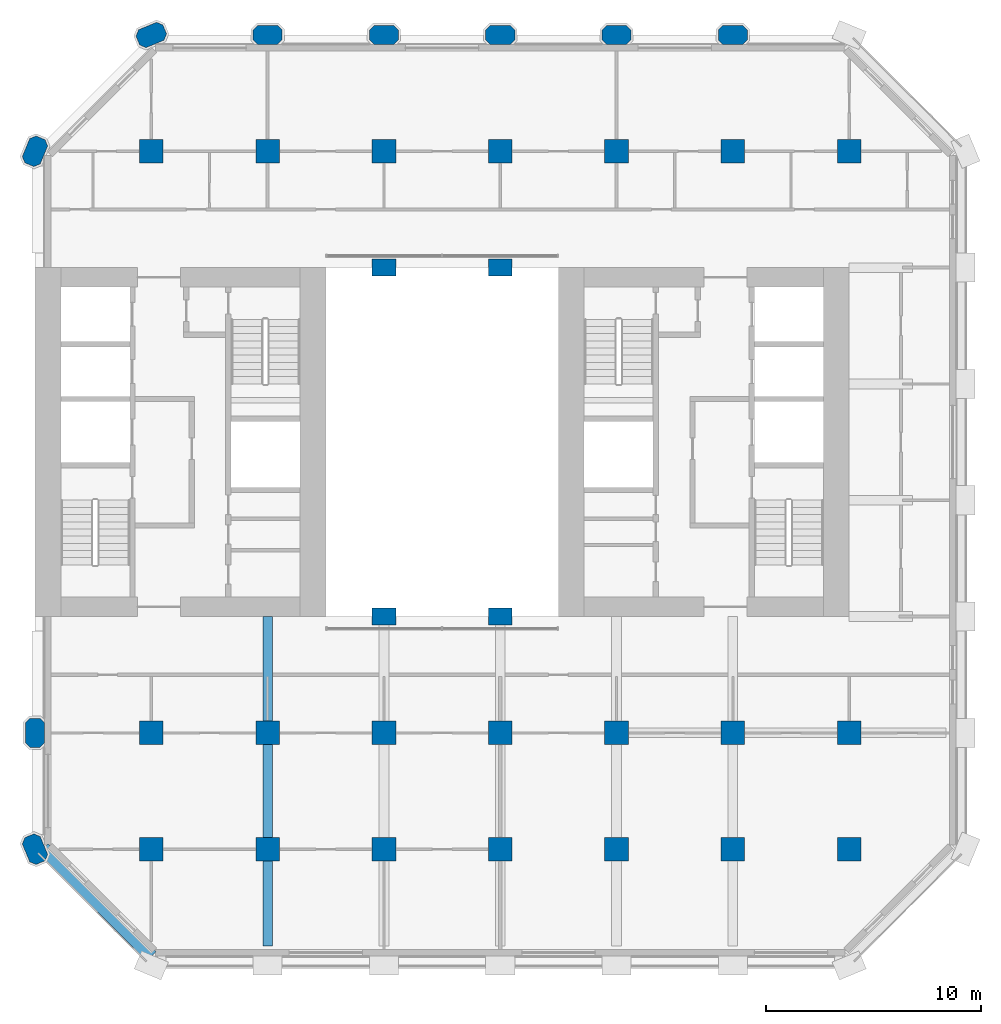
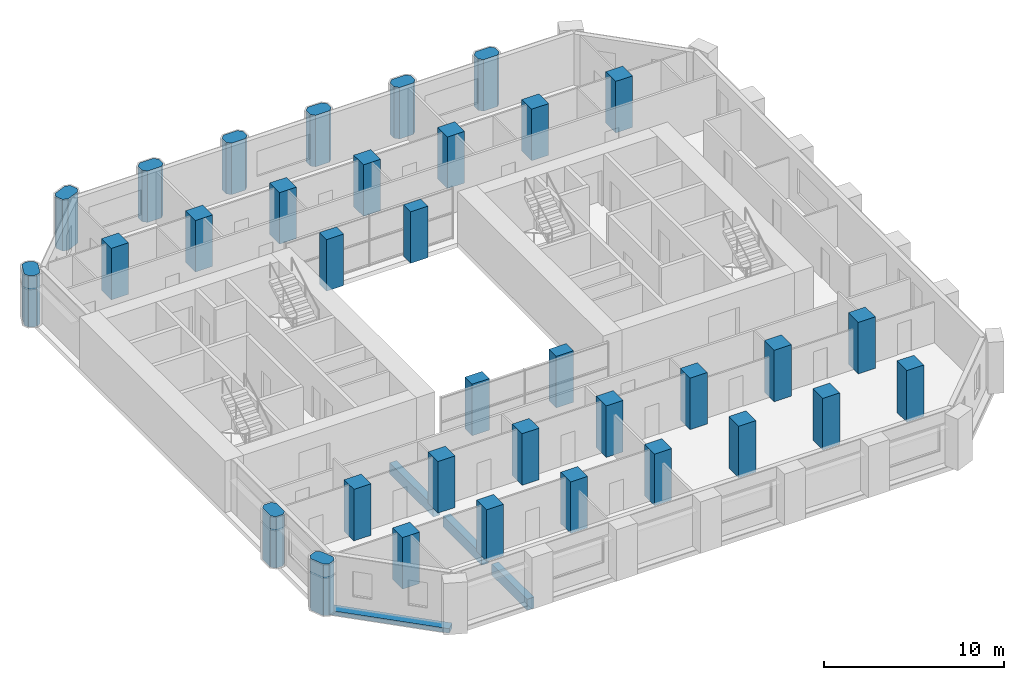
# One storey, part 1 of 13: 34 columns, 4 beams.
"""IFC4 building model written with IfcOpenShell, lengths in metres."""

from ifc_helpers import new_model, si_unit, direction, frame, origin, origin_2d, place, context, subcontext, project, spatial, polyline, rectangle, outline, extrude, material, material_profile, profile_set, type_object, element, save


model = new_model("IFC4")

# Units and contexts
model_context = context("Model", 3, precision=1e-05, world=origin(), true_north=direction((0.0, 1.0)))
body_context = subcontext(model_context, "Body", "Model", "MODEL_VIEW")
ifc_project = project(units=[si_unit("LENGTHUNIT", "METRE"), si_unit("AREAUNIT", "SQUARE_METRE"), si_unit("VOLUMEUNIT", "CUBIC_METRE"), si_unit("PLANEANGLEUNIT", "RADIAN"), si_unit("MASSUNIT", "GRAM", prefix="KILO")], contexts=[model_context])

# Site, building, storey
site_placement = place(None, origin())
site = spatial("IfcSite", under=ifc_project, at=site_placement, CompositionType="ELEMENT")
building_placement = place(site_placement, origin())
building = spatial("IfcBuilding", under=site, at=building_placement, Name="Tabaq Tower and Sports Hall", CompositionType="ELEMENT")
storey_placement = place(building_placement, frame((0.0, 0.0, 45.0)))
storey = spatial("IfcBuildingStorey", under=building, at=storey_placement, Name="L09", CompositionType="ELEMENT", Elevation=45.0)

# Columns
ifc_material_1 = material(Name="Concrete C60/75", Category="concrete")
ifc_material_profile_1 = material_profile(ifc_material_1, rectangle(XDim=1.10009765625, YDim=0.800048828125, at=origin_2d()), Name="ATRIUM COLUMN 1100x800")
ifc_profile_set_1 = profile_set([ifc_material_profile_1], Name="Concrete C60/75")
column_type_1 = type_object("IfcColumnType", Name="RC COLUMN ATRIUM COLUMN 1100x800 C60/75", PredefinedType="COLUMN", material=ifc_profile_set_1)
for number, where, z_axis, x_axis, name in (
    (1, (21.60009765625, 16.199951171875, 0.0), (0.0, 0.0, 1.0), (1.0, 0.0, 0.0), "Atrium Column 5/D L09"),
    (2, (27.0, 16.199951171875, 0.0), (0.0, 0.0, 1.0), (1.0, 0.0, 0.0), "Atrium Column 6/D L09"),
    (3, (21.60009765625, 32.39990234375, 0.0), (0.0, 0.0, 1.0), (1.0, 0.0, 0.0), "Atrium Column 5/G L09"),
    (4, (27.0, 32.39990234375, 0.0), (0.0, 0.0, 1.0), (1.0, 0.0, 0.0), "Atrium Column 6/G L09"),
):
    element("IfcColumn", number, at=place(storey_placement, frame(where, z_axis=z_axis, x_axis=x_axis)), inside=storey, type_object=column_type_1, Name=name, PredefinedType="COLUMN", context=body_context, shape_type="SweptSolid", body=[
        extrude(rectangle(XDim=1.10009765625, YDim=0.800048828125, at=origin_2d()), origin(), (0.0, 0.0, 1.0), 3.5),
    ])
ifc_material_2 = material(Name="Concrete C60/75", Category="concrete")
ifc_material_profile_2 = material_profile(ifc_material_2, rectangle(XDim=1.10009765625, YDim=1.10009765625, at=origin_2d()), Name="COLUMN 1100x1100")
ifc_profile_set_2 = profile_set([ifc_material_profile_2], Name="Concrete C60/75")
column_type_2 = type_object("IfcColumnType", Name="RC COLUMN COLUMN 1100x1100 C60/75", PredefinedType="COLUMN", material=ifc_profile_set_2)
for number, where, z_axis, x_axis, name in (
    (5, (10.800048828125, 5.39990234375, 0.0), (0.0, 0.0, 1.0), (1.0, 0.0, 0.0), "Column 3/B L09"),
    (6, (16.199951171875, 5.39990234375, 0.0), (0.0, 0.0, 1.0), (1.0, 0.0, 0.0), "Column 4/B L09"),
    (7, (21.60009765625, 5.39990234375, 0.0), (0.0, 0.0, 1.0), (1.0, 0.0, 0.0), "Column 5/B L09"),
    (8, (27.0, 5.39990234375, 0.0), (0.0, 0.0, 1.0), (1.0, 0.0, 0.0), "Column 6/B L09"),
    (9, (32.39990234375, 5.39990234375, 0.0), (0.0, 0.0, 1.0), (1.0, 0.0, 0.0), "Column 7/B L09"),
    (10, (37.800048828125, 5.39990234375, 0.0), (0.0, 0.0, 1.0), (1.0, 0.0, 0.0), "Column 8/B L09"),
    (11, (43.199951171875, 5.39990234375, 0.0), (0.0, 0.0, 1.0), (1.0, 0.0, 0.0), "Column 9/B L09"),
    (12, (10.800048828125, 10.800048828125, 0.0), (0.0, 0.0, 1.0), (1.0, 0.0, 0.0), "Column 3/C L09"),
    (13, (16.199951171875, 10.800048828125, 0.0), (0.0, 0.0, 1.0), (1.0, 0.0, 0.0), "Column 4/C L09"),
    (14, (21.60009765625, 10.800048828125, 0.0), (0.0, 0.0, 1.0), (1.0, 0.0, 0.0), "Column 5/C L09"),
    (15, (27.0, 10.800048828125, 0.0), (0.0, 0.0, 1.0), (1.0, 0.0, 0.0), "Column 6/C L09"),
    (16, (32.39990234375, 10.800048828125, 0.0), (0.0, 0.0, 1.0), (1.0, 0.0, 0.0), "Column 7/C L09"),
    (17, (37.800048828125, 10.800048828125, 0.0), (0.0, 0.0, 1.0), (1.0, 0.0, 0.0), "Column 8/C L09"),
    (18, (43.199951171875, 10.800048828125, 0.0), (0.0, 0.0, 1.0), (1.0, 0.0, 0.0), "Column 9/C L09"),
    (19, (10.800048828125, 37.800048828125, 0.0), (0.0, 0.0, 1.0), (1.0, 0.0, 0.0), "Column 3/H L09"),
    (20, (16.199951171875, 37.800048828125, 0.0), (0.0, 0.0, 1.0), (1.0, 0.0, 0.0), "Column 4/H L09"),
    (21, (21.60009765625, 37.800048828125, 0.0), (0.0, 0.0, 1.0), (1.0, 0.0, 0.0), "Column 5/H L09"),
    (22, (27.0, 37.800048828125, 0.0), (0.0, 0.0, 1.0), (1.0, 0.0, 0.0), "Column 6/H L09"),
    (23, (32.39990234375, 37.800048828125, 0.0), (0.0, 0.0, 1.0), (1.0, 0.0, 0.0), "Column 7/H L09"),
    (24, (37.800048828125, 37.800048828125, 0.0), (0.0, 0.0, 1.0), (1.0, 0.0, 0.0), "Column 8/H L09"),
    (25, (43.199951171875, 37.800048828125, 0.0), (0.0, 0.0, 1.0), (1.0, 0.0, 0.0), "Column 9/H L09"),
):
    element("IfcColumn", number, at=place(storey_placement, frame(where, z_axis=z_axis, x_axis=x_axis)), inside=storey, type_object=column_type_2, Name=name, PredefinedType="COLUMN", context=body_context, shape_type="SweptSolid", body=[
        extrude(rectangle(XDim=1.10009765625, YDim=1.10009765625, at=origin_2d()), origin(), (0.0, 0.0, 1.0), 3.5),
    ])
ifc_material_3 = material(Name="Concrete C60/75", Category="concrete")
ifc_material_profile_3 = material_profile(ifc_material_3, outline(polyline([(-0.449951171875, -0.449951171875), (0.449951171875, -0.449951171875), (0.675048828125, -0.22509765625), (0.675048828125, 0.22509765625), (0.449951171875, 0.449951171875), (-0.449951171875, 0.449951171875), (-0.675048828125, 0.22509765625), (-0.675048828125, -0.22509765625), (-0.449951171875, -0.449951171875)])), Name="PIER 1350x900")
ifc_profile_set_3 = profile_set([ifc_material_profile_3], Name="Concrete C60/75")
column_type_3 = type_object("IfcColumnType", Name="RC COLUMN PIER 1350x900 C60/75", PredefinedType="COLUMN", material=ifc_profile_set_3)
for number, where, z_axis, x_axis, name in (
    (26, (5.39990234375, 5.39990234375, 0.0), (0.0, 0.0, 1.0), (-0.382683432365, 0.923879532511, 0.0), "Pier 2/B L09"),
    (27, (5.39990234375, 10.800048828125, 0.0), (0.0, 0.0, 1.0), (0.0, 1.0, 0.0), "Pier 2/C L09"),
    (28, (5.39990234375, 37.800048828125, 0.0), (0.0, 0.0, 1.0), (0.382683432365, 0.923879532511, 0.0), "Pier 2/H L09"),
    (29, (10.800048828125, 43.199951171875, 0.0), (0.0, 0.0, 1.0), (0.923879532511, 0.382683432365, 0.0), "Pier 3/I L09"),
    (30, (16.199951171875, 43.199951171875, 0.0), (0.0, 0.0, 1.0), (1.0, 0.0, 0.0), "Pier 4/I L09"),
    (31, (21.60009765625, 43.199951171875, 0.0), (0.0, 0.0, 1.0), (1.0, 0.0, 0.0), "Pier 5/I L09"),
    (32, (27.0, 43.199951171875, 0.0), (0.0, 0.0, 1.0), (1.0, 0.0, 0.0), "Pier 6/I L09"),
    (33, (32.39990234375, 43.199951171875, 0.0), (0.0, 0.0, 1.0), (1.0, 0.0, 0.0), "Pier 7/I L09"),
    (34, (37.800048828125, 43.199951171875, 0.0), (0.0, 0.0, 1.0), (1.0, 0.0, 0.0), "Pier 8/I L09"),
):
    element("IfcColumn", number, at=place(storey_placement, frame(where, z_axis=z_axis, x_axis=x_axis)), inside=storey, type_object=column_type_3, Name=name, PredefinedType="COLUMN", context=body_context, shape_type="SweptSolid", body=[
        extrude(outline(polyline([(-0.449951171875, -0.449951171875), (0.449951171875, -0.449951171875), (0.675048828125, -0.22509765625), (0.675048828125, 0.22509765625), (0.449951171875, 0.449951171875), (-0.449951171875, 0.449951171875), (-0.675048828125, 0.22509765625), (-0.675048828125, -0.22509765625), (-0.449951171875, -0.449951171875)])), origin(), (0.0, 0.0, 1.0), 3.5),
    ])

# Beams
ifc_material_4 = material(Name="Concrete C40/50", Category="concrete")
ifc_material_profile_4 = material_profile(ifc_material_4, rectangle(XDim=0.449951171875, YDim=0.75, at=origin_2d()), Name="CB 450x750")
ifc_profile_set_4 = profile_set([ifc_material_profile_4], Name="Concrete C40/50")
beam_type_1 = type_object("IfcBeamType", Name="PT CANTILEVER BEAM CB 450x750 C40/50", PredefinedType="BEAM", material=ifc_profile_set_4)
beam_1_placement = place(storey_placement, frame((16.199951171875, 0.89990234375, -0.675048828125), z_axis=(0.0, 1.0, 0.0), x_axis=(-1.0, 0.0, 0.0)))
element("IfcBeam", 35, at=beam_1_placement, inside=storey, type_object=beam_type_1, Name="Cantilever Beam L09 S3 span 1", PredefinedType="BEAM", context=body_context, shape_type="SweptSolid", body=[
    extrude(rectangle(XDim=0.449951171875, YDim=0.75, at=origin_2d()), origin(), (0.0, 0.0, 1.0), 3.9501953125),
])
beam_2_placement = place(storey_placement, frame((16.199951171875, 5.949951171875, -0.675048828125), z_axis=(0.0, 1.0, 0.0), x_axis=(-1.0, 0.0, 0.0)))
element("IfcBeam", 36, at=beam_2_placement, inside=storey, type_object=beam_type_1, Name="Cantilever Beam L09 S3 span 2", PredefinedType="BEAM", context=body_context, shape_type="SweptSolid", body=[
    extrude(rectangle(XDim=0.449951171875, YDim=0.75, at=origin_2d()), origin(), (0.0, 0.0, 1.0), 4.300048828125),
])
beam_3_placement = place(storey_placement, frame((16.199951171875, 11.35009765625, -0.675048828125), z_axis=(0.0, 1.0, 0.0), x_axis=(-1.0, 0.0, 0.0)))
element("IfcBeam", 37, at=beam_3_placement, inside=storey, type_object=beam_type_1, Name="Cantilever Beam L09 S3 span 3", PredefinedType="BEAM", context=body_context, shape_type="SweptSolid", body=[
    extrude(rectangle(XDim=0.449951171875, YDim=0.75, at=origin_2d()), origin(), (0.0, 0.0, 1.0), 4.849853515625),
])
ifc_material_5 = material(Name="Concrete C40/50", Category="concrete")
ifc_material_profile_5 = material_profile(ifc_material_5, rectangle(XDim=0.60009765625, YDim=0.300048828125, at=origin_2d()), Name="EB 600x300")
ifc_profile_set_5 = profile_set([ifc_material_profile_5], Name="Concrete C40/50")
beam_type_2 = type_object("IfcBeamType", Name="PT EDGE BEAM EB 600x300 C40/50", PredefinedType="SPANDREL", material=ifc_profile_set_5)
beam_4_placement = place(storey_placement, frame((5.788818359375, 5.435302734375, -0.14990234375), z_axis=(0.707124002701, -0.707089559252, 0.0), x_axis=(0.707089559252, 0.707124002701, 0.0)))
element("IfcBeam", 38, at=beam_4_placement, inside=storey, type_object=beam_type_2, Name="Edge Beam L09 5", PredefinedType="SPANDREL", context=body_context, shape_type="SweptSolid", body=[
    extrude(rectangle(XDim=0.60009765625, YDim=0.300048828125, at=origin_2d()), origin(), (0.0, 0.0, 1.0), 7.088134765625),
])

save(model, "model.ifc")
